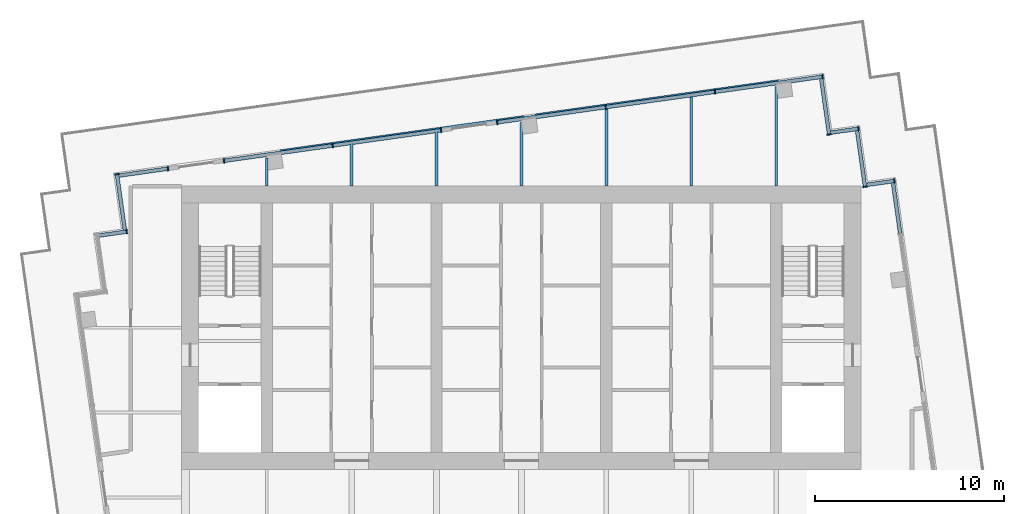
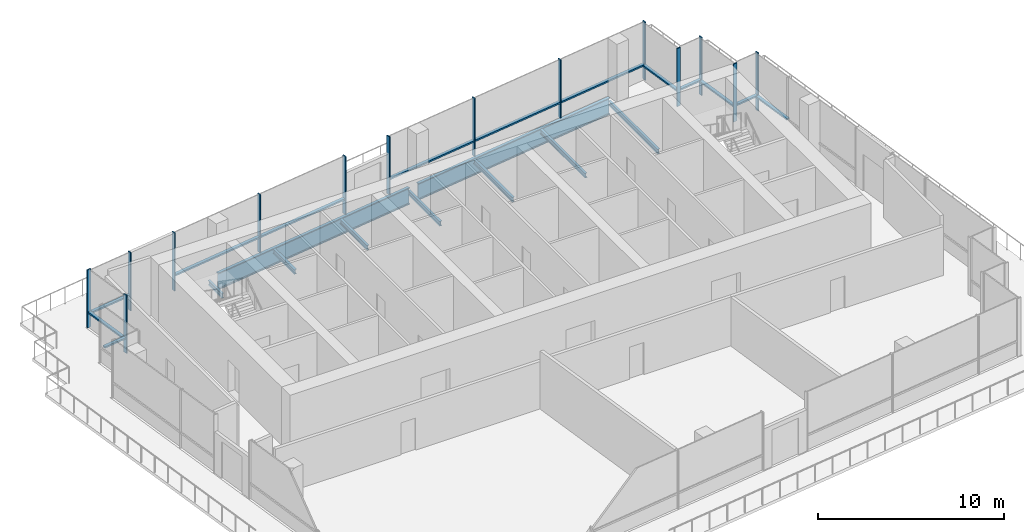
# One storey, part 4 of 12: 27 members, 9 beams, 10 elements without a shape of their own.
"""IFC4 building model written with IfcOpenShell, lengths in metres."""

from ifc_helpers import new_model, si_unit, direction, frame, origin, origin_2d, place, context, subcontext, project, spatial, rectangle, i_section, extrude, material, layer, layer_set, material_profile, profile_set, type_object, element, aggregate, save


model = new_model("IFC4")

# Units and contexts
model_context = context("Model", 3, precision=1e-05, world=origin(), true_north=direction((0.0, 1.0)))
body_context = subcontext(model_context, "Body", "Model", "MODEL_VIEW")
ifc_project = project(units=[si_unit("LENGTHUNIT", "METRE"), si_unit("AREAUNIT", "SQUARE_METRE"), si_unit("VOLUMEUNIT", "CUBIC_METRE"), si_unit("PLANEANGLEUNIT", "RADIAN"), si_unit("MASSUNIT", "GRAM", prefix="KILO")], contexts=[model_context])

# Site, building, storey
site_placement = place(None, origin())
site = spatial("IfcSite", under=ifc_project, at=site_placement, CompositionType="ELEMENT")
building_placement = place(site_placement, origin())
building = spatial("IfcBuilding", under=site, at=building_placement, Name="Rattan Terrace Tower", CompositionType="ELEMENT")
storey_placement = place(building_placement, frame((0.0, 0.0, 292.300048828125)))
storey = spatial("IfcBuildingStorey", under=building, at=storey_placement, Name="C01", CompositionType="ELEMENT", Elevation=292.300048828125)

# Beams
ifc_material_1 = material(Name="Steel S460", Category="steel")
ifc_material_profile_1 = material_profile(ifc_material_1, i_section(OverallWidth=0.179931640625, OverallDepth=1.10009765625, WebThickness=0.01611328125, FlangeThickness=0.050048828125, at=origin_2d()), Name="PG 1100x180-16-50")
ifc_profile_set_1 = profile_set([ifc_material_profile_1], Name="Steel S460")
beam_type_1 = type_object("IfcBeamType", Name="Frame edge girder PG 1100x180-16-50", PredefinedType="SPANDREL", material=ifc_profile_set_1)
for number, where, z_axis, x_axis, name in (
    (1, (0.1298828125, 11.158935546875, -0.75), (-0.990267801726, -0.139175000863, 0.0), (0.139175000863, -0.990267801726, 0.0), "gdr-C01-004"),
    (2, (13.6298828125, 13.056884765625, -0.75), (-0.990267801726, -0.139175000863, 0.0), (0.139175000863, -0.990267801726, 0.0), "gdr-C01-005"),
):
    element("IfcBeam", number, at=place(storey_placement, frame(where, z_axis=z_axis, x_axis=x_axis)), inside=storey, type_object=beam_type_1, Name=name, PredefinedType="SPANDREL", context=body_context, shape_type="SweptSolid", body=[
        extrude(i_section(OverallWidth=0.179931640625, OverallDepth=1.10009765625, WebThickness=0.01611328125, FlangeThickness=0.050048828125, at=origin_2d()), origin(), (0.0, 0.0, 1.0), 13.026611328125),
    ])
ifc_material_2 = material(Name="Steel S355", Category="steel")
ifc_material_profile_2 = material_profile(ifc_material_2, i_section(OverallWidth=0.14990234375, OverallDepth=0.300048828125, WebThickness=0.007080078125, FlangeThickness=0.0107421875, FilletRadius=0.014892578125, at=origin_2d()), Name="IPE 300")
ifc_profile_set_2 = profile_set([ifc_material_profile_2], Name="Steel S355")
beam_type_2 = type_object("IfcBeamType", Name="Frame floor beam IPE 300", PredefinedType="JOIST", material=ifc_profile_set_2)
beam_1_placement = place(storey_placement, frame((-13.5, 7.5, -0.35009765625), z_axis=(0.0, 1.0, 0.0), x_axis=(-1.0, 0.0, 0.0)))
element("IfcBeam", 3, at=beam_1_placement, inside=storey, type_object=beam_type_2, Name="bm-C01-013", PredefinedType="JOIST", context=body_context, shape_type="SweptSolid", body=[
    extrude(i_section(OverallWidth=0.14990234375, OverallDepth=0.300048828125, WebThickness=0.007080078125, FlangeThickness=0.0107421875, FilletRadius=0.014892578125, at=origin_2d()), origin(), (0.0, 0.0, 1.0), 1.487060546875),
])
beam_2_placement = place(storey_placement, frame((-9.0, 7.5, -0.35009765625), z_axis=(0.0, 1.0, 0.0), x_axis=(-1.0, 0.0, 0.0)))
element("IfcBeam", 4, at=beam_2_placement, inside=storey, type_object=beam_type_2, Name="bm-C01-014", PredefinedType="JOIST", context=body_context, shape_type="SweptSolid", body=[
    extrude(i_section(OverallWidth=0.14990234375, OverallDepth=0.300048828125, WebThickness=0.007080078125, FlangeThickness=0.0107421875, FilletRadius=0.014892578125, at=origin_2d()), origin(), (0.0, 0.0, 1.0), 2.284912109375),
])
beam_3_placement = place(storey_placement, frame((-4.5, 7.5, -0.35009765625), z_axis=(0.0, 1.0, 0.0), x_axis=(-1.0, 0.0, 0.0)))
element("IfcBeam", 5, at=beam_3_placement, inside=storey, type_object=beam_type_2, Name="bm-C01-015", PredefinedType="JOIST", context=body_context, shape_type="SweptSolid", body=[
    extrude(i_section(OverallWidth=0.14990234375, OverallDepth=0.300048828125, WebThickness=0.007080078125, FlangeThickness=0.0107421875, FilletRadius=0.014892578125, at=origin_2d()), origin(), (0.0, 0.0, 1.0), 2.9169921875),
])
beam_4_placement = place(storey_placement, frame((0.0, 7.5, -0.35009765625), z_axis=(0.0, 1.0, 0.0), x_axis=(-1.0, 0.0, 0.0)))
element("IfcBeam", 6, at=beam_4_placement, inside=storey, type_object=beam_type_2, Name="bm-C01-016", PredefinedType="JOIST", context=body_context, shape_type="SweptSolid", body=[
    extrude(i_section(OverallWidth=0.14990234375, OverallDepth=0.300048828125, WebThickness=0.007080078125, FlangeThickness=0.0107421875, FilletRadius=0.014892578125, at=origin_2d()), origin(), (0.0, 0.0, 1.0), 3.385009765625),
])
beam_5_placement = place(storey_placement, frame((4.5, 7.5, -0.35009765625), z_axis=(0.0, 1.0, 0.0), x_axis=(-1.0, 0.0, 0.0)))
element("IfcBeam", 7, at=beam_5_placement, inside=storey, type_object=beam_type_2, Name="bm-C01-017", PredefinedType="JOIST", context=body_context, shape_type="SweptSolid", body=[
    extrude(i_section(OverallWidth=0.14990234375, OverallDepth=0.300048828125, WebThickness=0.007080078125, FlangeThickness=0.0107421875, FilletRadius=0.014892578125, at=origin_2d()), origin(), (0.0, 0.0, 1.0), 4.18310546875),
])
beam_6_placement = place(storey_placement, frame((9.0, 7.5, -0.35009765625), z_axis=(0.0, 1.0, 0.0), x_axis=(-1.0, 0.0, 0.0)))
element("IfcBeam", 8, at=beam_6_placement, inside=storey, type_object=beam_type_2, Name="bm-C01-018", PredefinedType="JOIST", context=body_context, shape_type="SweptSolid", body=[
    extrude(i_section(OverallWidth=0.14990234375, OverallDepth=0.300048828125, WebThickness=0.007080078125, FlangeThickness=0.0107421875, FilletRadius=0.014892578125, at=origin_2d()), origin(), (0.0, 0.0, 1.0), 4.81494140625),
])
beam_7_placement = place(storey_placement, frame((13.5, 7.5, -0.35009765625), z_axis=(0.0, 1.0, 0.0), x_axis=(-1.0, 0.0, 0.0)))
element("IfcBeam", 9, at=beam_7_placement, inside=storey, type_object=beam_type_2, Name="bm-C01-019", PredefinedType="JOIST", context=body_context, shape_type="SweptSolid", body=[
    extrude(i_section(OverallWidth=0.14990234375, OverallDepth=0.300048828125, WebThickness=0.007080078125, FlangeThickness=0.0107421875, FilletRadius=0.014892578125, at=origin_2d()), origin(), (0.0, 0.0, 1.0), 5.281982421875),
])

# Curtain wall, member
ifc_material_3 = material(Name="Aluminium and laminated glass", Category="aluminium")
ifc_layer = layer(ifc_material_3, 0.239990234375)
ifc_layer_set = layer_set([ifc_layer], Name="Lantern Stick Curtain Wall")
curtain_wall_type = type_object("IfcCurtainWallType", Name="Lantern Stick Curtain Wall", PredefinedType="NOTDEFINED", material=ifc_layer_set)
curtain_wall_1_placement = place(storey_placement, origin())
curtain_wall_1 = element("IfcCurtainWall", 10, at=curtain_wall_1_placement, inside=storey, type_object=curtain_wall_type, Name="Lantern curtain wall C01-16", PredefinedType="NOTDEFINED")
ifc_material_4 = material(Name="Aluminium", Category="aluminium")
ifc_material_profile_3 = material_profile(ifc_material_4, rectangle(XDim=0.070068359375, YDim=0.239990234375, at=origin_2d()), Name="Aluminium 70x240")
ifc_profile_set_3 = profile_set([ifc_material_profile_3], Name="Aluminium")
member_type_1 = type_object("IfcMemberType", Name="Lantern CW Mullion 70x240", PredefinedType="MULLION", material=ifc_profile_set_3)
member_1_placement = place(storey_placement, frame((19.763427734375, 7.77880859375, 0.0), z_axis=(0.0, 0.0, 1.0), x_axis=(-0.990227803001, -0.139459306479, 0.0)))
member_1 = element("IfcMember", 11, at=member_1_placement, type_object=member_type_1, Name="Mullion cwl-C01-016.1", PredefinedType="MULLION", context=body_context, shape_type="SweptSolid", body=[
    extrude(rectangle(XDim=0.070068359375, YDim=0.239990234375, at=origin_2d()), origin(), (0.0, 0.0, 1.0), 3.800048828125),
])

curtain_wall_2_placement = place(storey_placement, origin())
curtain_wall_2 = element("IfcCurtainWall", 12, at=curtain_wall_2_placement, inside=storey, type_object=curtain_wall_type, Name="Lantern curtain wall C01-17", PredefinedType="NOTDEFINED")
member_2_placement = place(storey_placement, frame((18.207275390625, 7.473876953125, 0.0), z_axis=(0.0, 0.0, 1.0), x_axis=(-0.139555918709, 0.990214191755, 0.0)))
member_2 = element("IfcMember", 13, at=member_2_placement, type_object=member_type_1, Name="Mullion cwl-C01-017.1", PredefinedType="MULLION", context=body_context, shape_type="SweptSolid", body=[
    extrude(rectangle(XDim=0.070068359375, YDim=0.239990234375, at=origin_2d()), origin(), (0.0, 0.0, 1.0), 3.800048828125),
])

curtain_wall_3_placement = place(storey_placement, origin())
curtain_wall_3 = element("IfcCurtainWall", 14, at=curtain_wall_3_placement, inside=storey, type_object=curtain_wall_type, Name="Lantern curtain wall C01-18", PredefinedType="NOTDEFINED")
member_3_placement = place(storey_placement, frame((17.860595703125, 10.54296875, 0.0), z_axis=(0.0, 0.0, 1.0), x_axis=(-0.990319742912, -0.13880492354, 0.0)))
member_3 = element("IfcMember", 15, at=member_3_placement, type_object=member_type_1, Name="Mullion cwl-C01-018.1", PredefinedType="MULLION", context=body_context, shape_type="SweptSolid", body=[
    extrude(rectangle(XDim=0.070068359375, YDim=0.239990234375, at=origin_2d()), origin(), (0.0, 0.0, 1.0), 3.800048828125),
])

curtain_wall_4_placement = place(storey_placement, origin())
curtain_wall_4 = element("IfcCurtainWall", 16, at=curtain_wall_4_placement, inside=storey, type_object=curtain_wall_type, Name="Lantern curtain wall C01-19", PredefinedType="NOTDEFINED")
member_4_placement = place(storey_placement, frame((16.30419921875, 10.239013671875, 0.0), z_axis=(0.0, 0.0, 1.0), x_axis=(-0.139413247769, 0.990234288614, 0.0)))
member_4 = element("IfcMember", 17, at=member_4_placement, type_object=member_type_1, Name="Mullion cwl-C01-019.1", PredefinedType="MULLION", context=body_context, shape_type="SweptSolid", body=[
    extrude(rectangle(XDim=0.070068359375, YDim=0.239990234375, at=origin_2d()), origin(), (0.0, 0.0, 1.0), 3.800048828125),
])

# Curtain wall, members
curtain_wall_5_placement = place(storey_placement, origin())
curtain_wall_5 = element("IfcCurtainWall", 18, at=curtain_wall_5_placement, inside=storey, type_object=curtain_wall_type, Name="Lantern curtain wall C01-20", PredefinedType="NOTDEFINED")
member_5_placement = place(storey_placement, frame((15.95849609375, 13.3037109375, 0.0), z_axis=(0.0, 0.0, 1.0), x_axis=(-0.990266952226, -0.13918104515, 0.0)))
member_5 = element("IfcMember", 19, at=member_5_placement, type_object=member_type_1, Name="Mullion cwl-C01-020.1", PredefinedType="MULLION", context=body_context, shape_type="SweptSolid", body=[
    extrude(rectangle(XDim=0.070068359375, YDim=0.239990234375, at=origin_2d()), origin(), (0.0, 0.0, 1.0), 3.800048828125),
])
member_6_placement = place(storey_placement, frame((10.253662109375, 12.501953125, 0.0), z_axis=(0.0, 0.0, 1.0), x_axis=(-0.990266952226, -0.13918104515, 0.0)))
member_6 = element("IfcMember", 20, at=member_6_placement, type_object=member_type_1, Name="Mullion cwl-C01-020.2", PredefinedType="MULLION", context=body_context, shape_type="SweptSolid", body=[
    extrude(rectangle(XDim=0.070068359375, YDim=0.239990234375, at=origin_2d()), origin(), (0.0, 0.0, 1.0), 3.800048828125),
])
member_7_placement = place(storey_placement, frame((4.464599609375, 11.6884765625, 0.0), z_axis=(0.0, 0.0, 1.0), x_axis=(-0.990266952226, -0.13918104515, 0.0)))
member_7 = element("IfcMember", 21, at=member_7_placement, type_object=member_type_1, Name="Mullion cwl-C01-020.3", PredefinedType="MULLION", context=body_context, shape_type="SweptSolid", body=[
    extrude(rectangle(XDim=0.070068359375, YDim=0.239990234375, at=origin_2d()), origin(), (0.0, 0.0, 1.0), 3.800048828125),
])
member_8_placement = place(storey_placement, frame((-1.2900390625, 10.879638671875, 0.0), z_axis=(0.0, 0.0, 1.0), x_axis=(-0.990266952226, -0.13918104515, 0.0)))
member_8 = element("IfcMember", 22, at=member_8_placement, type_object=member_type_1, Name="Mullion cwl-C01-020.4", PredefinedType="MULLION", context=body_context, shape_type="SweptSolid", body=[
    extrude(rectangle(XDim=0.070068359375, YDim=0.239990234375, at=origin_2d()), origin(), (0.0, 0.0, 1.0), 3.800048828125),
])

curtain_wall_6_placement = place(storey_placement, origin())
curtain_wall_6 = element("IfcCurtainWall", 23, at=curtain_wall_6_placement, inside=storey, type_object=curtain_wall_type, Name="Lantern curtain wall C01-21", PredefinedType="NOTDEFINED")
member_9_placement = place(storey_placement, frame((-4.25390625, 10.462890625, 0.0), z_axis=(0.0, 0.0, 1.0), x_axis=(-0.990266952226, -0.13918104515, 0.0)))
member_9 = element("IfcMember", 24, at=member_9_placement, type_object=member_type_1, Name="Mullion cwl-C01-021.1", PredefinedType="MULLION", context=body_context, shape_type="SweptSolid", body=[
    extrude(rectangle(XDim=0.070068359375, YDim=0.239990234375, at=origin_2d()), origin(), (0.0, 0.0, 1.0), 3.800048828125),
])
member_10_placement = place(storey_placement, frame((-10.00830078125, 9.654296875, 0.0), z_axis=(0.0, 0.0, 1.0), x_axis=(-0.990266952226, -0.13918104515, 0.0)))
member_10 = element("IfcMember", 25, at=member_10_placement, type_object=member_type_1, Name="Mullion cwl-C01-021.2", PredefinedType="MULLION", context=body_context, shape_type="SweptSolid", body=[
    extrude(rectangle(XDim=0.070068359375, YDim=0.239990234375, at=origin_2d()), origin(), (0.0, 0.0, 1.0), 3.800048828125),
])
member_11_placement = place(storey_placement, frame((-15.7626953125, 8.845458984375, 0.0), z_axis=(0.0, 0.0, 1.0), x_axis=(-0.990266952226, -0.13918104515, 0.0)))
member_11 = element("IfcMember", 26, at=member_11_placement, type_object=member_type_1, Name="Mullion cwl-C01-021.3", PredefinedType="MULLION", context=body_context, shape_type="SweptSolid", body=[
    extrude(rectangle(XDim=0.070068359375, YDim=0.239990234375, at=origin_2d()), origin(), (0.0, 0.0, 1.0), 3.800048828125),
])

# Curtain wall, member
curtain_wall_7_placement = place(storey_placement, origin())
curtain_wall_7 = element("IfcCurtainWall", 27, at=curtain_wall_7_placement, inside=storey, type_object=curtain_wall_type, Name="Lantern curtain wall C01-22", PredefinedType="NOTDEFINED")
member_12_placement = place(storey_placement, frame((-18.7265625, 8.428955078125, 0.0), z_axis=(0.0, 0.0, 1.0), x_axis=(-0.990266952226, -0.13918104515, 0.0)))
member_12 = element("IfcMember", 28, at=member_12_placement, type_object=member_type_1, Name="Mullion cwl-C01-022.1", PredefinedType="MULLION", context=body_context, shape_type="SweptSolid", body=[
    extrude(rectangle(XDim=0.070068359375, YDim=0.239990234375, at=origin_2d()), origin(), (0.0, 0.0, 1.0), 3.800048828125),
])

curtain_wall_8_placement = place(storey_placement, origin())
curtain_wall_8 = element("IfcCurtainWall", 29, at=curtain_wall_8_placement, inside=storey, type_object=curtain_wall_type, Name="Lantern curtain wall C01-23", PredefinedType="NOTDEFINED")
member_13_placement = place(storey_placement, frame((-21.431884765625, 8.134521484375, 0.0), z_axis=(0.0, 0.0, 1.0), x_axis=(0.139040257975, -0.990286729519, 0.0)))
member_13 = element("IfcMember", 30, at=member_13_placement, type_object=member_type_1, Name="Mullion cwl-C01-023.1", PredefinedType="MULLION", context=body_context, shape_type="SweptSolid", body=[
    extrude(rectangle(XDim=0.070068359375, YDim=0.239990234375, at=origin_2d()), origin(), (0.0, 0.0, 1.0), 3.800048828125),
])

curtain_wall_9_placement = place(storey_placement, origin())
curtain_wall_9 = element("IfcCurtainWall", 31, at=curtain_wall_9_placement, inside=storey, type_object=curtain_wall_type, Name="Lantern curtain wall C01-24", PredefinedType="NOTDEFINED")
member_14_placement = place(storey_placement, frame((-20.9189453125, 5.09228515625, 0.0), z_axis=(0.0, 0.0, 1.0), x_axis=(-0.990227803001, -0.139459306479, 0.0)))
member_14 = element("IfcMember", 32, at=member_14_placement, type_object=member_type_1, Name="Mullion cwl-C01-024.1", PredefinedType="MULLION", context=body_context, shape_type="SweptSolid", body=[
    extrude(rectangle(XDim=0.070068359375, YDim=0.239990234375, at=origin_2d()), origin(), (0.0, 0.0, 1.0), 3.800048828125),
])

curtain_wall_10_placement = place(storey_placement, origin())
curtain_wall_10 = element("IfcCurtainWall", 33, at=curtain_wall_10_placement, inside=storey, type_object=curtain_wall_type, Name="Lantern curtain wall C01-15", PredefinedType="NOTDEFINED")
ifc_material_5 = material(Name="Aluminium", Category="aluminium")
ifc_material_profile_4 = material_profile(ifc_material_5, rectangle(XDim=0.199951171875, YDim=0.10009765625, at=origin_2d()), Name="Aluminium 200x100")
ifc_profile_set_4 = profile_set([ifc_material_profile_4], Name="Aluminium")
member_type_2 = type_object("IfcMemberType", Name="Lantern CW Transom 200x100", PredefinedType="USERDEFINED", material=ifc_profile_set_4)
member_15_placement = place(storey_placement, frame((20.068359375, 4.998779296875, 1.0), z_axis=(-0.139159755343, 0.990269944254, 0.0), x_axis=(-0.990269944254, -0.139159755343, 0.0)))
member_15 = element("IfcMember", 34, at=member_15_placement, type_object=member_type_2, Name="Transom cwl-C01-015.2", ObjectType="TRANSOM", PredefinedType="USERDEFINED", context=body_context, shape_type="SweptSolid", body=[
    extrude(rectangle(XDim=0.199951171875, YDim=0.10009765625, at=origin_2d()), origin(), (0.0, 0.0, 1.0), 2.675537109375),
])
aggregate(curtain_wall_10, [member_15])

# Member
member_16_placement = place(storey_placement, frame((19.728759765625, 7.77392578125, 1.0), z_axis=(-0.990227834808, -0.139459080636, 0.0), x_axis=(0.139459080636, -0.990227834808, 0.0)))
member_16 = element("IfcMember", 35, at=member_16_placement, type_object=member_type_2, Name="Transom cwl-C01-016.1", ObjectType="TRANSOM", PredefinedType="USERDEFINED", context=body_context, shape_type="SweptSolid", body=[
    extrude(rectangle(XDim=0.199951171875, YDim=0.10009765625, at=origin_2d()), origin(), (0.0, 0.0, 1.0), 1.428466796875),
])

aggregate(curtain_wall_1, [member_1, member_16])

member_17_placement = place(storey_placement, frame((18.202392578125, 7.508544921875, 1.0), z_axis=(-0.139532909028, 0.990217434354, 0.0), x_axis=(-0.990217434354, -0.139532909028, 0.0)))
member_17 = element("IfcMember", 36, at=member_17_placement, type_object=member_type_2, Name="Transom cwl-C01-017.1", ObjectType="TRANSOM", PredefinedType="USERDEFINED", context=body_context, shape_type="SweptSolid", body=[
    extrude(rectangle(XDim=0.199951171875, YDim=0.10009765625, at=origin_2d()), origin(), (0.0, 0.0, 1.0), 2.9326171875),
])

aggregate(curtain_wall_2, [member_2, member_17])

member_18_placement = place(storey_placement, frame((17.825927734375, 10.5380859375, 1.0), z_axis=(-0.990301815941, -0.13893276555, 0.0), x_axis=(0.13893276555, -0.990301815941, 0.0)))
member_18 = element("IfcMember", 37, at=member_18_placement, type_object=member_type_2, Name="Transom cwl-C01-018.1", ObjectType="TRANSOM", PredefinedType="USERDEFINED", context=body_context, shape_type="SweptSolid", body=[
    extrude(rectangle(XDim=0.199951171875, YDim=0.10009765625, at=origin_2d()), origin(), (0.0, 0.0, 1.0), 1.4287109375),
])

aggregate(curtain_wall_3, [member_3, member_18])

member_19_placement = place(storey_placement, frame((16.29931640625, 10.2734375, 1.0), z_axis=(-0.139401737802, 0.990235909013, 0.0), x_axis=(-0.990235909013, -0.139401737802, 0.0)))
member_19 = element("IfcMember", 38, at=member_19_placement, type_object=member_type_2, Name="Transom cwl-C01-019.1", ObjectType="TRANSOM", PredefinedType="USERDEFINED", context=body_context, shape_type="SweptSolid", body=[
    extrude(rectangle(XDim=0.199951171875, YDim=0.10009765625, at=origin_2d()), origin(), (0.0, 0.0, 1.0), 2.92822265625),
])

aggregate(curtain_wall_4, [member_4, member_19])

member_20_placement = place(storey_placement, frame((15.923828125, 13.299072265625, 1.0), z_axis=(-0.990262771001, -0.139210791141, 0.0), x_axis=(0.139210791141, -0.990262771001, 0.0)))
member_20 = element("IfcMember", 39, at=member_20_placement, type_object=member_type_2, Name="Transom cwl-C01-020.1", ObjectType="TRANSOM", PredefinedType="USERDEFINED", context=body_context, shape_type="SweptSolid", body=[
    extrude(rectangle(XDim=0.199951171875, YDim=0.10009765625, at=origin_2d()), origin(), (0.0, 0.0, 1.0), 5.69091796875),
])

member_21_placement = place(storey_placement, frame((10.218994140625, 12.4970703125, 1.0), z_axis=(-0.990265684123, -0.139190067348, 0.0), x_axis=(0.139190067348, -0.990265684123, 0.0)))
member_21 = element("IfcMember", 40, at=member_21_placement, type_object=member_type_2, Name="Transom cwl-C01-020.2", ObjectType="TRANSOM", PredefinedType="USERDEFINED", context=body_context, shape_type="SweptSolid", body=[
    extrude(rectangle(XDim=0.199951171875, YDim=0.10009765625, at=origin_2d()), origin(), (0.0, 0.0, 1.0), 5.77587890625),
])

member_22_placement = place(storey_placement, frame((4.429931640625, 11.68359375, 1.0), z_axis=(-0.990266746635, -0.139182507912, 0.0), x_axis=(0.139182507912, -0.990266746635, 0.0)))
member_22 = element("IfcMember", 41, at=member_22_placement, type_object=member_type_2, Name="Transom cwl-C01-020.3", ObjectType="TRANSOM", PredefinedType="USERDEFINED", context=body_context, shape_type="SweptSolid", body=[
    extrude(rectangle(XDim=0.199951171875, YDim=0.10009765625, at=origin_2d()), origin(), (0.0, 0.0, 1.0), 5.7412109375),
])

aggregate(curtain_wall_5, [member_5, member_6, member_7, member_8, member_20, member_21, member_22])

member_23_placement = place(storey_placement, frame((-4.28857421875, 10.458251953125, 1.0), z_axis=(-0.990265922809, -0.139188369207, 0.0), x_axis=(0.139188369207, -0.990265922809, 0.0)))
member_23 = element("IfcMember", 42, at=member_23_placement, type_object=member_type_2, Name="Transom cwl-C01-021.1", ObjectType="TRANSOM", PredefinedType="USERDEFINED", context=body_context, shape_type="SweptSolid", body=[
    extrude(rectangle(XDim=0.199951171875, YDim=0.10009765625, at=origin_2d()), origin(), (0.0, 0.0, 1.0), 5.740966796875),
])

member_24_placement = place(storey_placement, frame((-10.04296875, 9.6494140625, 1.0), z_axis=(-0.990265922809, -0.139188369207, 0.0), x_axis=(0.139188369207, -0.990265922809, 0.0)))
member_24 = element("IfcMember", 43, at=member_24_placement, type_object=member_type_2, Name="Transom cwl-C01-021.2", ObjectType="TRANSOM", PredefinedType="USERDEFINED", context=body_context, shape_type="SweptSolid", body=[
    extrude(rectangle(XDim=0.199951171875, YDim=0.10009765625, at=origin_2d()), origin(), (0.0, 0.0, 1.0), 5.740966796875),
])

aggregate(curtain_wall_6, [member_9, member_10, member_11, member_23, member_24])

member_25_placement = place(storey_placement, frame((-18.76123046875, 8.424072265625, 1.0), z_axis=(-0.990257399146, -0.139248997977, 0.0), x_axis=(0.139248997977, -0.990257399146, 0.0)))
member_25 = element("IfcMember", 44, at=member_25_placement, type_object=member_type_2, Name="Transom cwl-C01-022.1", ObjectType="TRANSOM", PredefinedType="USERDEFINED", context=body_context, shape_type="SweptSolid", body=[
    extrude(rectangle(XDim=0.199951171875, YDim=0.10009765625, at=origin_2d()), origin(), (0.0, 0.0, 1.0), 2.56494140625),
])

aggregate(curtain_wall_7, [member_12, member_25])

member_26_placement = place(storey_placement, frame((-21.427001953125, 8.099853515625, 1.0), z_axis=(0.139028781454, -0.990288340801, 0.0), x_axis=(0.990288340801, 0.139028781454, 0.0)))
member_26 = element("IfcMember", 45, at=member_26_placement, type_object=member_type_2, Name="Transom cwl-C01-023.1", ObjectType="TRANSOM", PredefinedType="USERDEFINED", context=body_context, shape_type="SweptSolid", body=[
    extrude(rectangle(XDim=0.199951171875, YDim=0.10009765625, at=origin_2d()), origin(), (0.0, 0.0, 1.0), 2.92919921875),
])

aggregate(curtain_wall_8, [member_13, member_26])

member_27_placement = place(storey_placement, frame((-20.95361328125, 5.08740234375, 1.0), z_axis=(-0.990227834808, -0.139459080636, 0.0), x_axis=(0.139459080636, -0.990227834808, 0.0)))
member_27 = element("IfcMember", 46, at=member_27_placement, type_object=member_type_2, Name="Transom cwl-C01-024.1", ObjectType="TRANSOM", PredefinedType="USERDEFINED", context=body_context, shape_type="SweptSolid", body=[
    extrude(rectangle(XDim=0.199951171875, YDim=0.10009765625, at=origin_2d()), origin(), (0.0, 0.0, 1.0), 1.428466796875),
])

aggregate(curtain_wall_9, [member_14, member_27])

save(model, "model.ifc")
